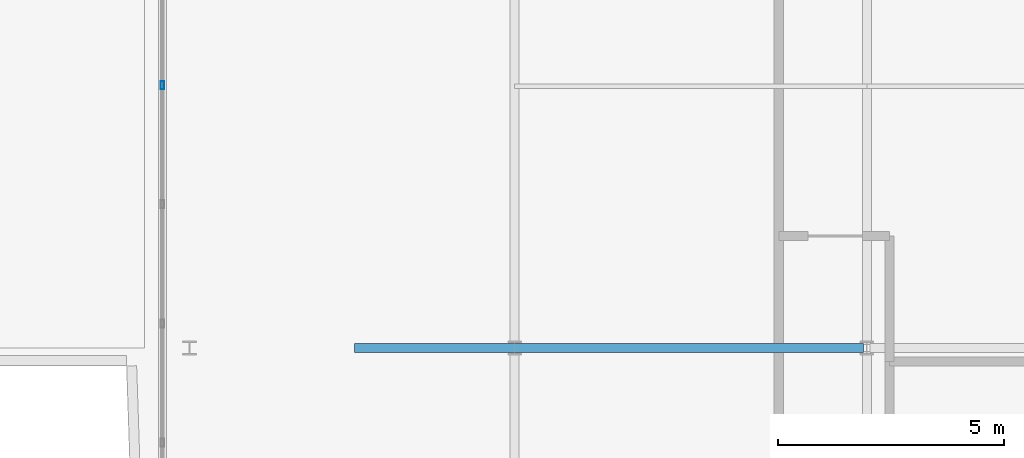
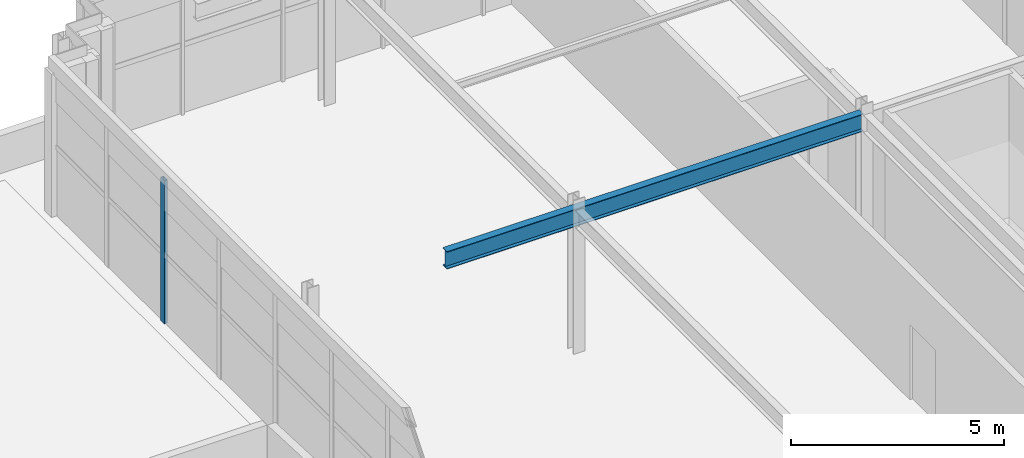
# One storey, part 19 of 31: 1 beam, 1 member, 1 element without a shape of its own.
"""IFC4 building model written with IfcOpenShell, lengths in metres."""

from ifc_helpers import new_model, si_unit, direction, frame, origin, origin_2d, place, context, subcontext, project, spatial, hollow_rectangle, i_section, extrude, source, transform, mapped, material, material_profile, profile_set, type_object, element, aggregate, save


model = new_model("IFC4")

# Units and contexts
model_context = context("Model", 3, precision=1e-05, world=origin(), true_north=direction((0.0, 1.0)))
body_context = subcontext(model_context, "Body", "Model", "MODEL_VIEW")
ifc_project = project(units=[si_unit("LENGTHUNIT", "METRE"), si_unit("AREAUNIT", "SQUARE_METRE"), si_unit("VOLUMEUNIT", "CUBIC_METRE"), si_unit("PLANEANGLEUNIT", "RADIAN"), si_unit("MASSUNIT", "GRAM", prefix="KILO")], contexts=[model_context])

# Site, building, storey
site_placement = place(None, origin())
site = spatial("IfcSite", under=ifc_project, at=site_placement, CompositionType="ELEMENT")
building_placement = place(site_placement, origin())
building = spatial("IfcBuilding", under=site, at=building_placement, Name="Trelvane Seafront Commons", CompositionType="ELEMENT")
storey_placement = place(building_placement, frame((0.0, 0.0, 307.89990234375)))
storey = spatial("IfcBuildingStorey", under=building, at=storey_placement, Name="L80", CompositionType="ELEMENT", Elevation=307.89990234375)

# Beam
ifc_material_1 = material(Name="Steel SM355 (S355)", Category="steel")
ifc_material_profile_1 = material_profile(ifc_material_1, i_section(OverallWidth=0.199951171875, OverallDepth=0.5, WebThickness=0.010009765625, FlangeThickness=0.01611328125, at=origin_2d()), Name="H-500x200x10x16")
ifc_profile_set_1 = profile_set([ifc_material_profile_1], Name="Steel SM355 (S355)")
beam_type = type_object("IfcBeamType", Name="STR-CROWN-FRAME-RING", PredefinedType="SPANDREL", material=ifc_profile_set_1)
shared_shape_1 = source(origin(), body_context, "Body", "SweptSolid", [
    extrude(i_section(OverallWidth=0.199951171875, OverallDepth=0.5, WebThickness=0.010009765625, FlangeThickness=0.01611328125, at=origin_2d()), origin(), (0.0, 0.0, 1.0), 11.275146484375),
])
beam_placement = place(storey_placement, frame((47.449951171875, 33.39990234375, 3.85009765625), z_axis=(1.0, 0.0, 0.0), x_axis=(0.0, 1.0, 0.0)))
element("IfcBeam", 1, at=beam_placement, inside=storey, type_object=beam_type, Name="L80 CROWN FRAME Ring Beam G-13", PredefinedType="SPANDREL", context=body_context, shape_type="MappedRepresentation", body=[
    mapped(shared_shape_1, transform((0.0, 0.0, 0.0), x_axis=(1.0, 0.0, 0.0), y_axis=(0.0, 1.0, 0.0), z_axis=(0.0, 0.0, 1.0), scale=1.0)),
])

# Curtain wall, member
ifc_material_2 = material(Name="Anodised pale-silver aluminium", Category="aluminium")
curtain_wall_type = type_object("IfcCurtainWallType", Name="ARCH-CW6-CROWN", PredefinedType="NOTDEFINED", material=ifc_material_2)
curtain_wall_placement = place(storey_placement, origin())
curtain_wall = element("IfcCurtainWall", 2, at=curtain_wall_placement, inside=storey, type_object=curtain_wall_type, Name="CW-L80-0140", PredefinedType="NOTDEFINED")
ifc_material_profile_2 = material_profile(ifc_material_2, hollow_rectangle(XDim=0.080078125, YDim=0.179931640625, WallThickness=0.00439453125, at=origin_2d()), Name="MULL-80x180x4.5")
ifc_profile_set_2 = profile_set([ifc_material_profile_2], Name="Anodised pale-silver aluminium")
member_type = type_object("IfcMemberType", Name="ARCH-CW-MULL-180", PredefinedType="MULLION", material=ifc_profile_set_2)
shared_shape_2 = source(origin(), body_context, "Body", "SweptSolid", [
    extrude(hollow_rectangle(XDim=0.080078125, YDim=0.179931640625, WallThickness=0.00439453125, at=origin_2d()), origin(), (0.0, 0.0, 1.0), 4.10009765625),
])
member_placement = place(storey_placement, frame((43.199951171875, 39.219970703125, 0.0), z_axis=(0.0, 0.0, 1.0), x_axis=(1.0, 0.0, 0.0)))
member = element("IfcMember", 3, at=member_placement, type_object=member_type, Name="CW-L80-0140-M08", PredefinedType="MULLION", context=body_context, shape_type="MappedRepresentation", body=[
    mapped(shared_shape_2, transform((0.0, 0.0, 0.0), x_axis=(1.0, 0.0, 0.0), y_axis=(0.0, 1.0, 0.0), z_axis=(0.0, 0.0, 1.0), scale=1.0)),
])
aggregate(curtain_wall, [member])

save(model, "model.ifc")
